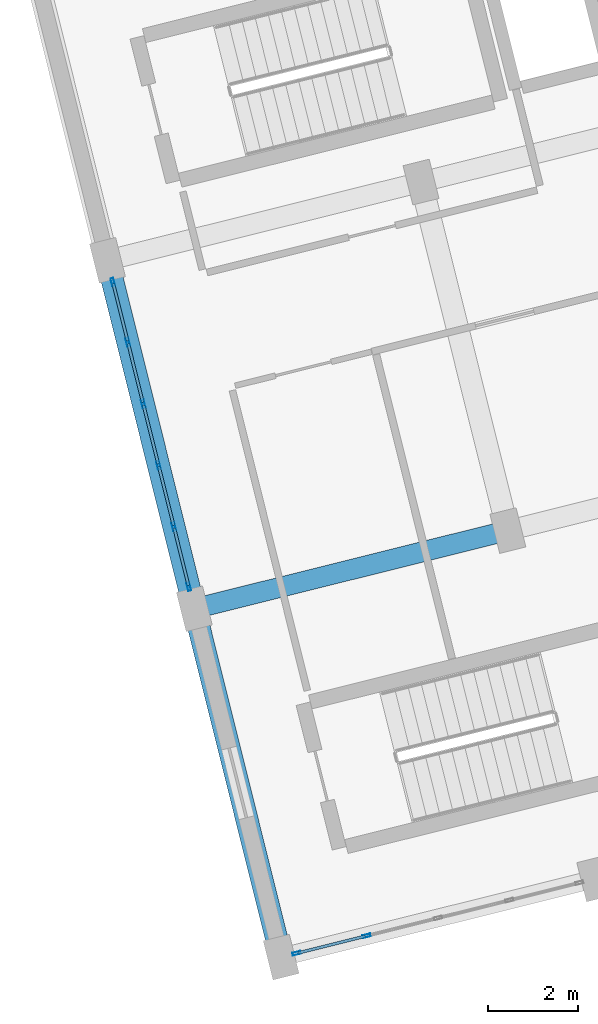
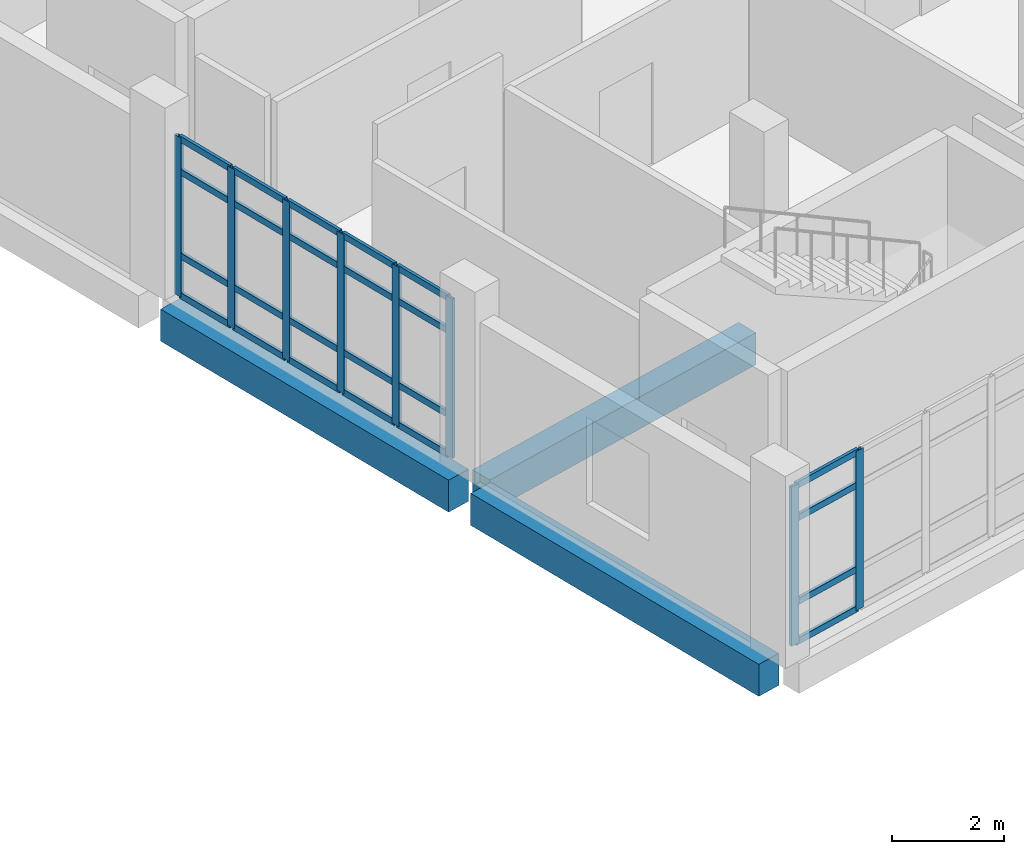
# One storey, part 53 of 164: 32 members, 3 beams, 2 elements without a shape of their own.
"""IFC4 building model written with IfcOpenShell, lengths in metres."""

from ifc_helpers import new_model, si_unit, direction, frame, origin, origin_2d, place, context, subcontext, project, spatial, rectangle, hollow_rectangle, extrude, material, layer, layer_set, material_profile, profile_set, type_object, element, aggregate, save


model = new_model("IFC4")

# Units and contexts
model_context = context("Model", 3, precision=1e-05, world=origin(), true_north=direction((0.0, 1.0)))
body_context = subcontext(model_context, "Body", "Model", "MODEL_VIEW")
ifc_project = project(units=[si_unit("LENGTHUNIT", "METRE"), si_unit("AREAUNIT", "SQUARE_METRE"), si_unit("VOLUMEUNIT", "CUBIC_METRE"), si_unit("PLANEANGLEUNIT", "RADIAN"), si_unit("MASSUNIT", "GRAM", prefix="KILO")], contexts=[model_context])

# Site, building, storey
site_placement = place(None, origin())
site = spatial("IfcSite", under=ifc_project, at=site_placement, CompositionType="ELEMENT")
building_placement = place(site_placement, origin())
building = spatial("IfcBuilding", under=site, at=building_placement, Name="Mawjan Specialist Oncology Clinic", CompositionType="ELEMENT")
storey_placement = place(building_placement, frame((0.0, 0.0, 5.0)))
storey = spatial("IfcBuildingStorey", under=building, at=storey_placement, Name="L01", CompositionType="ELEMENT", Elevation=5.0)

# Beam
ifc_material_1 = material(Name="Concrete C40/50", Category="concrete")
ifc_material_profile_1 = material_profile(ifc_material_1, rectangle(XDim=0.449951171875, YDim=0.699951171875, at=origin_2d()), Name="RC BM 450x700", Category="concrete")
ifc_profile_set_1 = profile_set([ifc_material_profile_1], Name="Concrete C40/50")
beam_type_1 = type_object("IfcBeamType", Name="BM-450x700", PredefinedType="BEAM", material=ifc_profile_set_1)
beam_1_placement = place(storey_placement, frame((124.341064453125, 8.63134765625, -0.64990234375), z_axis=(0.970293935913, 0.241929076241, 0.0), x_axis=(-0.241929076241, 0.970293935913, 0.0)))
element("IfcBeam", 1, at=beam_1_placement, inside=storey, type_object=beam_type_1, Name="L01 Collector Beam BM-L01-0590", PredefinedType="BEAM", context=body_context, shape_type="SweptSolid", body=[
    extrude(rectangle(XDim=0.449951171875, YDim=0.699951171875, at=origin_2d()), origin(), (0.0, 0.0, 1.0), 6.630126953125),
])

# Curtain wall, members
ifc_material_2 = material(Name="Unitised spectrally selective aluminium curtain wall", Category="aluminium")
ifc_layer_1 = layer(ifc_material_2, 0.179931640625, Name="Unitised spectrally selective aluminium curtain wall", Category="aluminium")
ifc_layer_set_1 = layer_set([ifc_layer_1], Name="Unitised spectrally selective aluminium curtain wall")
curtain_wall_type_1 = type_object("IfcCurtainWallType", Name="CW-45", PredefinedType="NOTDEFINED", material=ifc_layer_set_1)
curtain_wall_1_placement = place(storey_placement, origin())
curtain_wall_1 = element("IfcCurtainWall", 2, at=curtain_wall_1_placement, inside=storey, type_object=curtain_wall_type_1, Name="L01 Unitised Curtain Wall CW-L01-089", PredefinedType="NOTDEFINED")
ifc_material_3 = material(Name="Thermally broken aluminium 6063-T6", Category="aluminium")
ifc_material_profile_2 = material_profile(ifc_material_3, hollow_rectangle(XDim=0.06494140625, YDim=0.179931640625, WallThickness=0.00390625, at=origin_2d()), Name="ALU MULLION 180x65x4", Category="aluminium")
ifc_profile_set_2 = profile_set([ifc_material_profile_2], Name="Thermally broken aluminium 6063-T6")
member_type_1 = type_object("IfcMemberType", Name="CW-M180", PredefinedType="MULLION", material=ifc_profile_set_2)
member_1_placement = place(storey_placement, frame((127.90185546875, 1.274169921875, 0.0), z_axis=(0.0, 0.0, 1.0), x_axis=(0.241921982475, -0.970295704615, 0.0)))
member_1 = element("IfcMember", 3, at=member_1_placement, type_object=member_type_1, Name="CW-45 mullion 4", PredefinedType="MULLION", context=body_context, shape_type="SweptSolid", body=[
    extrude(hollow_rectangle(XDim=0.06494140625, YDim=0.179931640625, WallThickness=0.00390625, at=origin_2d()), origin(), (0.0, 0.0, 1.0), 3.485107421875),
])
member_2_placement = place(storey_placement, frame((126.342041015625, 0.88525390625, 0.0), z_axis=(0.0, 0.0, 1.0), x_axis=(0.241921982475, -0.970295704615, 0.0)))
member_2 = element("IfcMember", 4, at=member_2_placement, type_object=member_type_1, Name="CW-45 mullion 5", PredefinedType="MULLION", context=body_context, shape_type="SweptSolid", body=[
    extrude(hollow_rectangle(XDim=0.06494140625, YDim=0.179931640625, WallThickness=0.00390625, at=origin_2d()), origin(), (0.0, 0.0, 1.0), 3.485107421875),
])

ifc_material_4 = material(Name="Unitised spectrally selective aluminium curtain wall", Category="aluminium")
ifc_layer_2 = layer(ifc_material_4, 0.179931640625, Name="Unitised spectrally selective aluminium curtain wall", Category="aluminium")
ifc_layer_set_2 = layer_set([ifc_layer_2], Name="Unitised spectrally selective aluminium curtain wall")
curtain_wall_type_2 = type_object("IfcCurtainWallType", Name="CW-46", PredefinedType="NOTDEFINED", material=ifc_layer_set_2)
curtain_wall_2_placement = place(storey_placement, origin())
curtain_wall_2 = element("IfcCurtainWall", 5, at=curtain_wall_2_placement, inside=storey, type_object=curtain_wall_type_2, Name="L01 Unitised Curtain Wall CW-L01-090", PredefinedType="NOTDEFINED")
member_3_placement = place(storey_placement, frame((123.943115234375, 9.050048828125, 0.0), z_axis=(0.0, 0.0, 1.0), x_axis=(-0.97029568059, -0.241922078835, 0.0)))
member_3 = element("IfcMember", 6, at=member_3_placement, type_object=member_type_1, Name="CW-46 mullion 1", PredefinedType="MULLION", context=body_context, shape_type="SweptSolid", body=[
    extrude(hollow_rectangle(XDim=0.06494140625, YDim=0.179931640625, WallThickness=0.00390625, at=origin_2d()), origin(), (0.0, 0.0, 1.0), 3.485107421875),
])
member_4_placement = place(storey_placement, frame((123.609375, 10.388427734375, 0.0), z_axis=(0.0, 0.0, 1.0), x_axis=(-0.97029568059, -0.241922078835, 0.0)))
member_4 = element("IfcMember", 7, at=member_4_placement, type_object=member_type_1, Name="CW-46 mullion 2", PredefinedType="MULLION", context=body_context, shape_type="SweptSolid", body=[
    extrude(hollow_rectangle(XDim=0.06494140625, YDim=0.179931640625, WallThickness=0.00390625, at=origin_2d()), origin(), (0.0, 0.0, 1.0), 3.485107421875),
])
member_5_placement = place(storey_placement, frame((123.267822265625, 11.758544921875, 0.0), z_axis=(0.0, 0.0, 1.0), x_axis=(-0.97029568059, -0.241922078835, 0.0)))
member_5 = element("IfcMember", 8, at=member_5_placement, type_object=member_type_1, Name="CW-46 mullion 3", PredefinedType="MULLION", context=body_context, shape_type="SweptSolid", body=[
    extrude(hollow_rectangle(XDim=0.06494140625, YDim=0.179931640625, WallThickness=0.00390625, at=origin_2d()), origin(), (0.0, 0.0, 1.0), 3.485107421875),
])
member_6_placement = place(storey_placement, frame((122.926025390625, 13.128662109375, 0.0), z_axis=(0.0, 0.0, 1.0), x_axis=(-0.97029568059, -0.241922078835, 0.0)))
member_6 = element("IfcMember", 9, at=member_6_placement, type_object=member_type_1, Name="CW-46 mullion 4", PredefinedType="MULLION", context=body_context, shape_type="SweptSolid", body=[
    extrude(hollow_rectangle(XDim=0.06494140625, YDim=0.179931640625, WallThickness=0.00390625, at=origin_2d()), origin(), (0.0, 0.0, 1.0), 3.485107421875),
])
member_7_placement = place(storey_placement, frame((122.58447265625, 14.49853515625, 0.0), z_axis=(0.0, 0.0, 1.0), x_axis=(-0.97029568059, -0.241922078835, 0.0)))
member_7 = element("IfcMember", 10, at=member_7_placement, type_object=member_type_1, Name="CW-46 mullion 5", PredefinedType="MULLION", context=body_context, shape_type="SweptSolid", body=[
    extrude(hollow_rectangle(XDim=0.06494140625, YDim=0.179931640625, WallThickness=0.00390625, at=origin_2d()), origin(), (0.0, 0.0, 1.0), 3.485107421875),
])
member_8_placement = place(storey_placement, frame((122.250732421875, 15.837158203125, 0.0), z_axis=(0.0, 0.0, 1.0), x_axis=(-0.97029568059, -0.241922078835, 0.0)))
member_8 = element("IfcMember", 11, at=member_8_placement, type_object=member_type_1, Name="CW-46 mullion 6", PredefinedType="MULLION", context=body_context, shape_type="SweptSolid", body=[
    extrude(hollow_rectangle(XDim=0.06494140625, YDim=0.179931640625, WallThickness=0.00390625, at=origin_2d()), origin(), (0.0, 0.0, 1.0), 3.485107421875),
])

# Member
ifc_material_5 = material(Name="Thermally broken aluminium 6063-T6", Category="aluminium")
ifc_material_profile_3 = material_profile(ifc_material_5, hollow_rectangle(XDim=0.06494140625, YDim=0.139892578125, WallThickness=0.00390625, at=origin_2d()), Name="ALU TRANSOM 140x65x4", Category="aluminium")
ifc_profile_set_3 = profile_set([ifc_material_profile_3], Name="Thermally broken aluminium 6063-T6")
member_type_2 = type_object("IfcMemberType", Name="CW-T140", PredefinedType="USERDEFINED", material=ifc_profile_set_3)
member_9_placement = place(storey_placement, frame((127.870361328125, 1.266357421875, 0.032470703125), z_axis=(-0.970281979076, -0.241977025935, 0.0), x_axis=(0.241977025935, -0.970281979076, 0.0)))
member_9 = element("IfcMember", 12, at=member_9_placement, type_object=member_type_2, Name="CW-45 transom 4.1", ObjectType="TRANSOM", PredefinedType="USERDEFINED", context=body_context, shape_type="SweptSolid", body=[
    extrude(hollow_rectangle(XDim=0.06494140625, YDim=0.139892578125, WallThickness=0.00390625, at=origin_2d()), origin(), (0.0, 0.0, 1.0), 1.542724609375),
])

member_10_placement = place(storey_placement, frame((127.870361328125, 1.266357421875, 0.89990234375), z_axis=(-0.970281979076, -0.241977025935, 0.0), x_axis=(0.241977025935, -0.970281979076, 0.0)))
member_10 = element("IfcMember", 13, at=member_10_placement, type_object=member_type_2, Name="CW-45 transom 4.2", ObjectType="TRANSOM", PredefinedType="USERDEFINED", context=body_context, shape_type="SweptSolid", body=[
    extrude(hollow_rectangle(XDim=0.06494140625, YDim=0.139892578125, WallThickness=0.00390625, at=origin_2d()), origin(), (0.0, 0.0, 1.0), 1.542724609375),
])

member_11_placement = place(storey_placement, frame((127.870361328125, 1.266357421875, 2.735107421875), z_axis=(-0.970281979076, -0.241977025935, 0.0), x_axis=(0.241977025935, -0.970281979076, 0.0)))
member_11 = element("IfcMember", 14, at=member_11_placement, type_object=member_type_2, Name="CW-45 transom 4.3", ObjectType="TRANSOM", PredefinedType="USERDEFINED", context=body_context, shape_type="SweptSolid", body=[
    extrude(hollow_rectangle(XDim=0.06494140625, YDim=0.139892578125, WallThickness=0.00390625, at=origin_2d()), origin(), (0.0, 0.0, 1.0), 1.542724609375),
])

member_12_placement = place(storey_placement, frame((127.870361328125, 1.266357421875, 3.452392578125), z_axis=(-0.970281979076, -0.241977025935, 0.0), x_axis=(0.241977025935, -0.970281979076, 0.0)))
member_12 = element("IfcMember", 15, at=member_12_placement, type_object=member_type_2, Name="CW-45 transom 4.4", ObjectType="TRANSOM", PredefinedType="USERDEFINED", context=body_context, shape_type="SweptSolid", body=[
    extrude(hollow_rectangle(XDim=0.06494140625, YDim=0.139892578125, WallThickness=0.00390625, at=origin_2d()), origin(), (0.0, 0.0, 1.0), 1.542724609375),
])

aggregate(curtain_wall_1, [member_1, member_2, member_9, member_10, member_11, member_12])

member_13_placement = place(storey_placement, frame((123.935302734375, 9.08154296875, 0.032470703125), z_axis=(-0.242011164703, 0.970273464627, 0.0), x_axis=(-0.970273464627, -0.242011164703, 0.0)))
member_13 = element("IfcMember", 16, at=member_13_placement, type_object=member_type_2, Name="CW-46 transom 1.1", ObjectType="TRANSOM", PredefinedType="USERDEFINED", context=body_context, shape_type="SweptSolid", body=[
    extrude(hollow_rectangle(XDim=0.06494140625, YDim=0.139892578125, WallThickness=0.00390625, at=origin_2d()), origin(), (0.0, 0.0, 1.0), 1.314453125),
])

member_14_placement = place(storey_placement, frame((123.935302734375, 9.08154296875, 0.89990234375), z_axis=(-0.242011164703, 0.970273464627, 0.0), x_axis=(-0.970273464627, -0.242011164703, 0.0)))
member_14 = element("IfcMember", 17, at=member_14_placement, type_object=member_type_2, Name="CW-46 transom 1.2", ObjectType="TRANSOM", PredefinedType="USERDEFINED", context=body_context, shape_type="SweptSolid", body=[
    extrude(hollow_rectangle(XDim=0.06494140625, YDim=0.139892578125, WallThickness=0.00390625, at=origin_2d()), origin(), (0.0, 0.0, 1.0), 1.314453125),
])

member_15_placement = place(storey_placement, frame((123.935302734375, 9.08154296875, 2.735107421875), z_axis=(-0.242011164703, 0.970273464627, 0.0), x_axis=(-0.970273464627, -0.242011164703, 0.0)))
member_15 = element("IfcMember", 18, at=member_15_placement, type_object=member_type_2, Name="CW-46 transom 1.3", ObjectType="TRANSOM", PredefinedType="USERDEFINED", context=body_context, shape_type="SweptSolid", body=[
    extrude(hollow_rectangle(XDim=0.06494140625, YDim=0.139892578125, WallThickness=0.00390625, at=origin_2d()), origin(), (0.0, 0.0, 1.0), 1.314453125),
])

member_16_placement = place(storey_placement, frame((123.935302734375, 9.08154296875, 3.452392578125), z_axis=(-0.242011164703, 0.970273464627, 0.0), x_axis=(-0.970273464627, -0.242011164703, 0.0)))
member_16 = element("IfcMember", 19, at=member_16_placement, type_object=member_type_2, Name="CW-46 transom 1.4", ObjectType="TRANSOM", PredefinedType="USERDEFINED", context=body_context, shape_type="SweptSolid", body=[
    extrude(hollow_rectangle(XDim=0.06494140625, YDim=0.139892578125, WallThickness=0.00390625, at=origin_2d()), origin(), (0.0, 0.0, 1.0), 1.314453125),
])

member_17_placement = place(storey_placement, frame((123.6015625, 10.419921875, 0.032470703125), z_axis=(-0.241938594701, 0.97029156257, 0.0), x_axis=(-0.97029156257, -0.241938594701, 0.0)))
member_17 = element("IfcMember", 20, at=member_17_placement, type_object=member_type_2, Name="CW-46 transom 2.1", ObjectType="TRANSOM", PredefinedType="USERDEFINED", context=body_context, shape_type="SweptSolid", body=[
    extrude(hollow_rectangle(XDim=0.06494140625, YDim=0.139892578125, WallThickness=0.00390625, at=origin_2d()), origin(), (0.0, 0.0, 1.0), 1.34716796875),
])

member_18_placement = place(storey_placement, frame((123.6015625, 10.419921875, 0.89990234375), z_axis=(-0.241938594701, 0.97029156257, 0.0), x_axis=(-0.97029156257, -0.241938594701, 0.0)))
member_18 = element("IfcMember", 21, at=member_18_placement, type_object=member_type_2, Name="CW-46 transom 2.2", ObjectType="TRANSOM", PredefinedType="USERDEFINED", context=body_context, shape_type="SweptSolid", body=[
    extrude(hollow_rectangle(XDim=0.06494140625, YDim=0.139892578125, WallThickness=0.00390625, at=origin_2d()), origin(), (0.0, 0.0, 1.0), 1.34716796875),
])

member_19_placement = place(storey_placement, frame((123.6015625, 10.419921875, 2.735107421875), z_axis=(-0.241938594701, 0.97029156257, 0.0), x_axis=(-0.97029156257, -0.241938594701, 0.0)))
member_19 = element("IfcMember", 22, at=member_19_placement, type_object=member_type_2, Name="CW-46 transom 2.3", ObjectType="TRANSOM", PredefinedType="USERDEFINED", context=body_context, shape_type="SweptSolid", body=[
    extrude(hollow_rectangle(XDim=0.06494140625, YDim=0.139892578125, WallThickness=0.00390625, at=origin_2d()), origin(), (0.0, 0.0, 1.0), 1.34716796875),
])

member_20_placement = place(storey_placement, frame((123.6015625, 10.419921875, 3.452392578125), z_axis=(-0.241938594701, 0.97029156257, 0.0), x_axis=(-0.97029156257, -0.241938594701, 0.0)))
member_20 = element("IfcMember", 23, at=member_20_placement, type_object=member_type_2, Name="CW-46 transom 2.4", ObjectType="TRANSOM", PredefinedType="USERDEFINED", context=body_context, shape_type="SweptSolid", body=[
    extrude(hollow_rectangle(XDim=0.06494140625, YDim=0.139892578125, WallThickness=0.00390625, at=origin_2d()), origin(), (0.0, 0.0, 1.0), 1.34716796875),
])

member_21_placement = place(storey_placement, frame((123.259765625, 11.7900390625, 0.032470703125), z_axis=(-0.241810488368, 0.970323496426, 0.0), x_axis=(-0.970323496426, -0.241810488368, 0.0)))
member_21 = element("IfcMember", 24, at=member_21_placement, type_object=member_type_2, Name="CW-46 transom 3.1", ObjectType="TRANSOM", PredefinedType="USERDEFINED", context=body_context, shape_type="SweptSolid", body=[
    extrude(hollow_rectangle(XDim=0.06494140625, YDim=0.139892578125, WallThickness=0.00390625, at=origin_2d()), origin(), (0.0, 0.0, 1.0), 1.346923828125),
])

member_22_placement = place(storey_placement, frame((123.259765625, 11.7900390625, 0.89990234375), z_axis=(-0.241810488368, 0.970323496426, 0.0), x_axis=(-0.970323496426, -0.241810488368, 0.0)))
member_22 = element("IfcMember", 25, at=member_22_placement, type_object=member_type_2, Name="CW-46 transom 3.2", ObjectType="TRANSOM", PredefinedType="USERDEFINED", context=body_context, shape_type="SweptSolid", body=[
    extrude(hollow_rectangle(XDim=0.06494140625, YDim=0.139892578125, WallThickness=0.00390625, at=origin_2d()), origin(), (0.0, 0.0, 1.0), 1.346923828125),
])

member_23_placement = place(storey_placement, frame((123.259765625, 11.7900390625, 2.735107421875), z_axis=(-0.241810488368, 0.970323496426, 0.0), x_axis=(-0.970323496426, -0.241810488368, 0.0)))
member_23 = element("IfcMember", 26, at=member_23_placement, type_object=member_type_2, Name="CW-46 transom 3.3", ObjectType="TRANSOM", PredefinedType="USERDEFINED", context=body_context, shape_type="SweptSolid", body=[
    extrude(hollow_rectangle(XDim=0.06494140625, YDim=0.139892578125, WallThickness=0.00390625, at=origin_2d()), origin(), (0.0, 0.0, 1.0), 1.346923828125),
])

member_24_placement = place(storey_placement, frame((123.259765625, 11.7900390625, 3.452392578125), z_axis=(-0.241810488368, 0.970323496426, 0.0), x_axis=(-0.970323496426, -0.241810488368, 0.0)))
member_24 = element("IfcMember", 27, at=member_24_placement, type_object=member_type_2, Name="CW-46 transom 3.4", ObjectType="TRANSOM", PredefinedType="USERDEFINED", context=body_context, shape_type="SweptSolid", body=[
    extrude(hollow_rectangle(XDim=0.06494140625, YDim=0.139892578125, WallThickness=0.00390625, at=origin_2d()), origin(), (0.0, 0.0, 1.0), 1.346923828125),
])

member_25_placement = place(storey_placement, frame((122.918212890625, 13.16015625, 0.032470703125), z_axis=(-0.241810488368, 0.970323496426, 0.0), x_axis=(-0.970323496426, -0.241810488368, 0.0)))
member_25 = element("IfcMember", 28, at=member_25_placement, type_object=member_type_2, Name="CW-46 transom 4.1", ObjectType="TRANSOM", PredefinedType="USERDEFINED", context=body_context, shape_type="SweptSolid", body=[
    extrude(hollow_rectangle(XDim=0.06494140625, YDim=0.139892578125, WallThickness=0.00390625, at=origin_2d()), origin(), (0.0, 0.0, 1.0), 1.346923828125),
])

member_26_placement = place(storey_placement, frame((122.918212890625, 13.16015625, 0.89990234375), z_axis=(-0.241810488368, 0.970323496426, 0.0), x_axis=(-0.970323496426, -0.241810488368, 0.0)))
member_26 = element("IfcMember", 29, at=member_26_placement, type_object=member_type_2, Name="CW-46 transom 4.2", ObjectType="TRANSOM", PredefinedType="USERDEFINED", context=body_context, shape_type="SweptSolid", body=[
    extrude(hollow_rectangle(XDim=0.06494140625, YDim=0.139892578125, WallThickness=0.00390625, at=origin_2d()), origin(), (0.0, 0.0, 1.0), 1.346923828125),
])

member_27_placement = place(storey_placement, frame((122.918212890625, 13.16015625, 2.735107421875), z_axis=(-0.241810488368, 0.970323496426, 0.0), x_axis=(-0.970323496426, -0.241810488368, 0.0)))
member_27 = element("IfcMember", 30, at=member_27_placement, type_object=member_type_2, Name="CW-46 transom 4.3", ObjectType="TRANSOM", PredefinedType="USERDEFINED", context=body_context, shape_type="SweptSolid", body=[
    extrude(hollow_rectangle(XDim=0.06494140625, YDim=0.139892578125, WallThickness=0.00390625, at=origin_2d()), origin(), (0.0, 0.0, 1.0), 1.346923828125),
])

member_28_placement = place(storey_placement, frame((122.918212890625, 13.16015625, 3.452392578125), z_axis=(-0.241810488368, 0.970323496426, 0.0), x_axis=(-0.970323496426, -0.241810488368, 0.0)))
member_28 = element("IfcMember", 31, at=member_28_placement, type_object=member_type_2, Name="CW-46 transom 4.4", ObjectType="TRANSOM", PredefinedType="USERDEFINED", context=body_context, shape_type="SweptSolid", body=[
    extrude(hollow_rectangle(XDim=0.06494140625, YDim=0.139892578125, WallThickness=0.00390625, at=origin_2d()), origin(), (0.0, 0.0, 1.0), 1.346923828125),
])

member_29_placement = place(storey_placement, frame((122.57666015625, 14.5302734375, 0.032470703125), z_axis=(-0.241836297417, 0.97031706429, 0.0), x_axis=(-0.97031706429, -0.241836297417, 0.0)))
member_29 = element("IfcMember", 32, at=member_29_placement, type_object=member_type_2, Name="CW-46 transom 5.1", ObjectType="TRANSOM", PredefinedType="USERDEFINED", context=body_context, shape_type="SweptSolid", body=[
    extrude(hollow_rectangle(XDim=0.06494140625, YDim=0.139892578125, WallThickness=0.00390625, at=origin_2d()), origin(), (0.0, 0.0, 1.0), 1.314453125),
])

member_30_placement = place(storey_placement, frame((122.57666015625, 14.5302734375, 0.89990234375), z_axis=(-0.241836297417, 0.97031706429, 0.0), x_axis=(-0.97031706429, -0.241836297417, 0.0)))
member_30 = element("IfcMember", 33, at=member_30_placement, type_object=member_type_2, Name="CW-46 transom 5.2", ObjectType="TRANSOM", PredefinedType="USERDEFINED", context=body_context, shape_type="SweptSolid", body=[
    extrude(hollow_rectangle(XDim=0.06494140625, YDim=0.139892578125, WallThickness=0.00390625, at=origin_2d()), origin(), (0.0, 0.0, 1.0), 1.314453125),
])

member_31_placement = place(storey_placement, frame((122.57666015625, 14.5302734375, 2.735107421875), z_axis=(-0.241836297417, 0.97031706429, 0.0), x_axis=(-0.97031706429, -0.241836297417, 0.0)))
member_31 = element("IfcMember", 34, at=member_31_placement, type_object=member_type_2, Name="CW-46 transom 5.3", ObjectType="TRANSOM", PredefinedType="USERDEFINED", context=body_context, shape_type="SweptSolid", body=[
    extrude(hollow_rectangle(XDim=0.06494140625, YDim=0.139892578125, WallThickness=0.00390625, at=origin_2d()), origin(), (0.0, 0.0, 1.0), 1.314453125),
])

member_32_placement = place(storey_placement, frame((122.57666015625, 14.5302734375, 3.452392578125), z_axis=(-0.241836297417, 0.97031706429, 0.0), x_axis=(-0.97031706429, -0.241836297417, 0.0)))
member_32 = element("IfcMember", 35, at=member_32_placement, type_object=member_type_2, Name="CW-46 transom 5.4", ObjectType="TRANSOM", PredefinedType="USERDEFINED", context=body_context, shape_type="SweptSolid", body=[
    extrude(hollow_rectangle(XDim=0.06494140625, YDim=0.139892578125, WallThickness=0.00390625, at=origin_2d()), origin(), (0.0, 0.0, 1.0), 1.314453125),
])

aggregate(curtain_wall_2, [member_3, member_4, member_5, member_6, member_7, member_8, member_13, member_14, member_15, member_16, member_17, member_18, member_19, member_20, member_21, member_22, member_23, member_24, member_25, member_26, member_27, member_28, member_29, member_30, member_31, member_32])

# Beams
ifc_material_6 = material(Name="Concrete C45/55", Category="concrete")
ifc_material_profile_4 = material_profile(ifc_material_6, rectangle(XDim=0.5, YDim=0.699951171875, at=origin_2d()), Name="RC BM 500x700", Category="concrete")
ifc_profile_set_4 = profile_set([ifc_material_profile_4], Name="Concrete C45/55")
beam_type_2 = type_object("IfcBeamType", Name="SP-500x700", PredefinedType="SPANDREL", material=ifc_profile_set_4)
beam_2_placement = place(storey_placement, frame((125.93115234375, 1.076416015625, -0.64990234375), z_axis=(-0.241932539519, 0.970293072387, 0.0), x_axis=(-0.970293072387, -0.241932539519, 0.0)))
element("IfcBeam", 36, at=beam_2_placement, inside=storey, type_object=beam_type_2, Name="L01 Spandrel Beam BM-L01-0612", PredefinedType="SPANDREL", context=body_context, shape_type="SweptSolid", body=[
    extrude(rectangle(XDim=0.5, YDim=0.699951171875, at=origin_2d()), origin(), (0.0, 0.0, 1.0), 7.43017578125),
])
beam_3_placement = place(storey_placement, frame((123.99560546875, 8.8388671875, -0.64990234375), z_axis=(-0.241909317102, 0.970298862361, 0.0), x_axis=(-0.970298862361, -0.241909317102, 0.0)))
element("IfcBeam", 37, at=beam_3_placement, inside=storey, type_object=beam_type_2, Name="L01 Spandrel Beam BM-L01-0613", PredefinedType="SPANDREL", context=body_context, shape_type="SweptSolid", body=[
    extrude(rectangle(XDim=0.5, YDim=0.699951171875, at=origin_2d()), origin(), (0.0, 0.0, 1.0), 7.429931640625),
])

save(model, "model.ifc")
